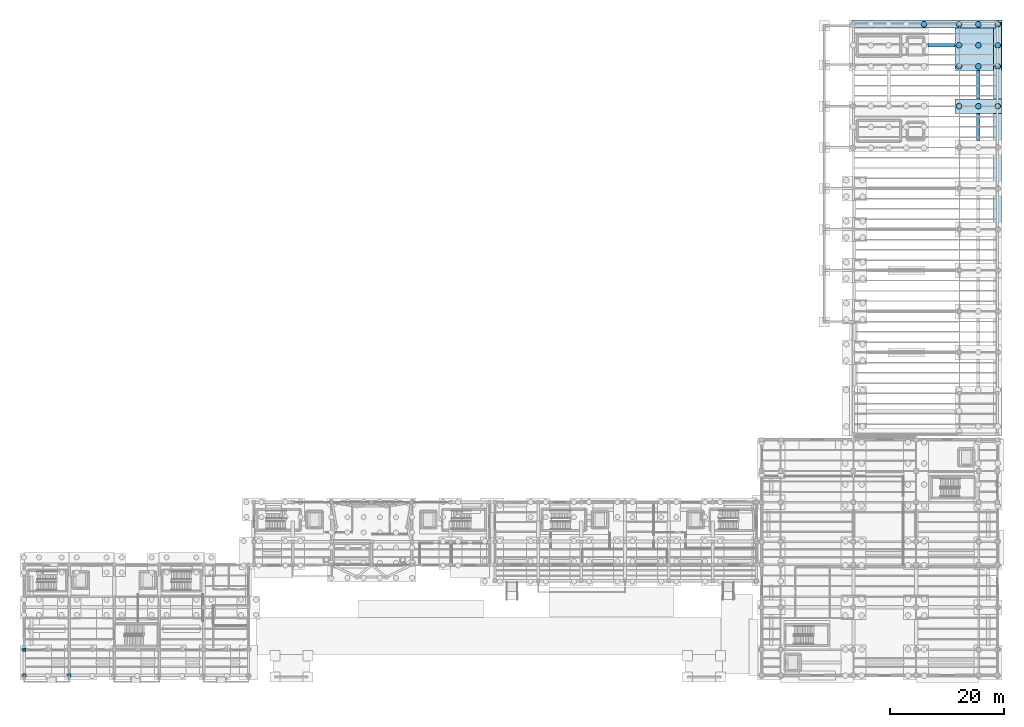
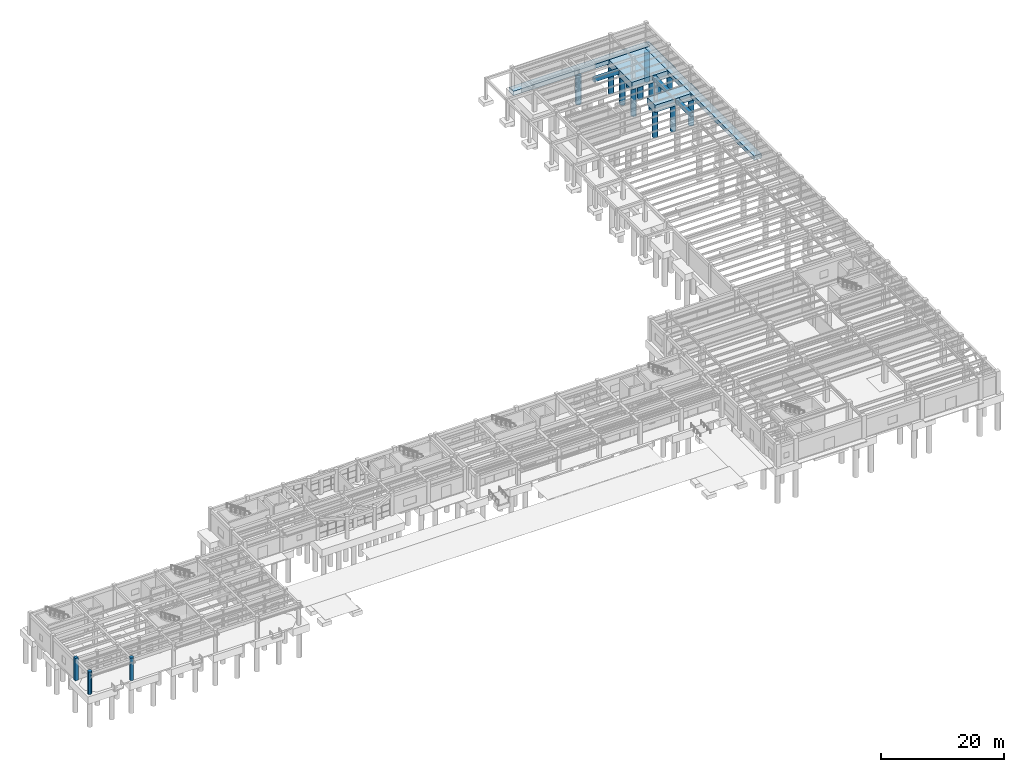
# One storey, part 5 of 41: 13 piles, 7 footings, 3 columns.
"""IFC4 building model written with IfcOpenShell, lengths in metres."""

from ifc_helpers import new_model, si_unit, direction, frame, origin, origin_2d, place, context, subcontext, project, spatial, rectangle, circle, extrude, material, material_profile, profile_set, type_object, element, save


model = new_model("IFC4")

# Units and contexts
model_context = context("Model", 3, precision=1e-05, world=origin(), true_north=direction((0.0, 1.0)))
body_context = subcontext(model_context, "Body", "Model", "MODEL_VIEW")
ifc_project = project(units=[si_unit("LENGTHUNIT", "METRE"), si_unit("AREAUNIT", "SQUARE_METRE"), si_unit("VOLUMEUNIT", "CUBIC_METRE"), si_unit("PLANEANGLEUNIT", "RADIAN"), si_unit("MASSUNIT", "GRAM", prefix="KILO")], contexts=[model_context])

# Site, building, storey
site_placement = place(None, origin())
site = spatial("IfcSite", under=ifc_project, at=site_placement, CompositionType="ELEMENT")
building_placement = place(site_placement, origin())
building = spatial("IfcBuilding", under=site, at=building_placement, Name="Candilejo Ridge Gondola Terminal", CompositionType="ELEMENT")
storey_placement = place(building_placement, origin())
storey = spatial("IfcBuildingStorey", under=building, at=storey_placement, Name="L00", CompositionType="ELEMENT", Elevation=0.0)

# Piles
ifc_material_1 = material(Name="Concrete f'c 28 MPa (C28/35)", Category="concrete")
ifc_material_profile_1 = material_profile(ifc_material_1, circle(Radius=0.5, at=origin_2d()))
ifc_profile_set_1 = profile_set([ifc_material_profile_1], Name="Concrete f'c 28 MPa (C28/35)")
pile_type = type_object("IfcPileType", Name="STR-BORED-PILE-D1000", PredefinedType="BORED", material=ifc_profile_set_1)
for number, where, z_axis, x_axis, name in (
    (1, (162.39990234375, 120.699951171875, -1.35009765625), (0.0, 0.0, -1.0), (1.0, 0.0, 0.0), "Bored pile L00-054"),
    (2, (168.550048828125, 106.300048828125, -1.35009765625), (0.0, 0.0, -1.0), (1.0, 0.0, 0.0), "Bored pile L00-080"),
    (3, (171.949951171875, 106.300048828125, -1.35009765625), (0.0, 0.0, -1.0), (1.0, 0.0, 0.0), "Bored pile L00-081"),
    (4, (175.35009765625, 106.300048828125, -1.35009765625), (0.0, 0.0, -1.0), (1.0, 0.0, 0.0), "Bored pile L00-082"),
    (5, (168.550048828125, 113.300048828125, -1.35009765625), (0.0, 0.0, -1.0), (1.0, 0.0, 0.0), "Bored pile L00-083"),
    (6, (168.550048828125, 117.0, -1.35009765625), (0.0, 0.0, -1.0), (1.0, 0.0, 0.0), "Bored pile L00-084"),
    (7, (168.550048828125, 120.699951171875, -1.35009765625), (0.0, 0.0, -1.0), (1.0, 0.0, 0.0), "Bored pile L00-085"),
    (8, (171.949951171875, 113.300048828125, -1.35009765625), (0.0, 0.0, -1.0), (1.0, 0.0, 0.0), "Bored pile L00-086"),
    (9, (171.949951171875, 117.0, -1.35009765625), (0.0, 0.0, -1.0), (1.0, 0.0, 0.0), "Bored pile L00-087"),
    (10, (171.949951171875, 120.699951171875, -1.35009765625), (0.0, 0.0, -1.0), (1.0, 0.0, 0.0), "Bored pile L00-088"),
    (11, (175.35009765625, 113.300048828125, -1.35009765625), (0.0, 0.0, -1.0), (1.0, 0.0, 0.0), "Bored pile L00-089"),
    (12, (175.35009765625, 117.0, -1.35009765625), (0.0, 0.0, -1.0), (1.0, 0.0, 0.0), "Bored pile L00-090"),
    (13, (175.35009765625, 120.699951171875, -1.35009765625), (0.0, 0.0, -1.0), (1.0, 0.0, 0.0), "Bored pile L00-091"),
):
    element("IfcPile", number, at=place(storey_placement, frame(where, z_axis=z_axis, x_axis=x_axis)), inside=storey, type_object=pile_type, Name=name, PredefinedType="BORED", context=body_context, shape_type="SweptSolid", body=[
        extrude(circle(Radius=0.5, at=origin_2d()), origin(), (0.0, 0.0, 1.0), 5.85009765625),
    ])

# Footings
ifc_material_2 = material(Name="Concrete f'c 35 MPa (C35/45)", Category="concrete")
footing_type_1 = type_object("IfcFootingType", Name="STR-FOOTING-BEAM-600X800", PredefinedType="FOOTING_BEAM", material=ifc_material_2)
footing_1_placement = place(storey_placement, frame((165.47509765625, 117.0, -0.85009765625), z_axis=(0.0, 0.0, 1.0), x_axis=(1.0, 0.0, 0.0)))
element("IfcFooting", 14, at=footing_1_placement, inside=storey, type_object=footing_type_1, Name="Foundation tie beam X L00-007", PredefinedType="FOOTING_BEAM", context=body_context, shape_type="SweptSolid", body=[
    extrude(rectangle(XDim=4.75, YDim=0.60009765625, at=origin_2d()), origin(), (0.0, 0.0, 1.0), 0.800048828125),
])
footing_2_placement = place(storey_placement, frame((171.949951171875, 102.675048828125, -0.85009765625), z_axis=(0.0, 0.0, 1.0), x_axis=(1.0, 0.0, 0.0)))
element("IfcFooting", 15, at=footing_2_placement, inside=storey, type_object=footing_type_1, Name="Foundation tie beam Y L00-020", PredefinedType="FOOTING_BEAM", context=body_context, shape_type="SweptSolid", body=[
    extrude(rectangle(XDim=0.60009765625, YDim=4.75, at=origin_2d()), origin(), (0.0, 0.0, 1.0), 0.800048828125),
])
footing_3_placement = place(storey_placement, frame((171.949951171875, 110.074951171875, -0.85009765625), z_axis=(0.0, 0.0, 1.0), x_axis=(1.0, 0.0, 0.0)))
element("IfcFooting", 16, at=footing_3_placement, inside=storey, type_object=footing_type_1, Name="Foundation tie beam Y L00-021", PredefinedType="FOOTING_BEAM", context=body_context, shape_type="SweptSolid", body=[
    extrude(rectangle(XDim=0.60009765625, YDim=5.050048828125, at=origin_2d()), origin(), (0.0, 0.0, 1.0), 0.800048828125),
])
ifc_material_3 = material(Name="Concrete f'c 35 MPa (C35/45)", Category="concrete")
footing_type_2 = type_object("IfcFootingType", Name="STR-PILE-CAP-B01-830X260X145", PredefinedType="PILE_CAP", material=ifc_material_3)
footing_4_placement = place(storey_placement, frame((171.949951171875, 106.300048828125, -1.4501953125), z_axis=(0.0, 0.0, 1.0), x_axis=(1.0, 0.0, 0.0)))
element("IfcFooting", 17, at=footing_4_placement, inside=storey, type_object=footing_type_2, Name="Pile cap CAP-B01-016", PredefinedType="PILE_CAP", context=body_context, shape_type="SweptSolid", body=[
    extrude(rectangle(XDim=8.300048828125, YDim=2.60009765625, at=origin_2d()), origin(), (0.0, 0.0, 1.0), 1.449951171875),
])
ifc_material_4 = material(Name="Concrete f'c 35 MPa (C35/45)", Category="concrete")
footing_type_3 = type_object("IfcFootingType", Name="STR-PILE-CAP-B01-830X890X145", PredefinedType="PILE_CAP", material=ifc_material_4)
footing_5_placement = place(storey_placement, frame((171.949951171875, 117.0, -1.4501953125), z_axis=(0.0, 0.0, 1.0), x_axis=(1.0, 0.0, 0.0)))
element("IfcFooting", 18, at=footing_5_placement, inside=storey, type_object=footing_type_3, Name="Pile cap CAP-B01-017", PredefinedType="PILE_CAP", context=body_context, shape_type="SweptSolid", body=[
    extrude(rectangle(XDim=8.300048828125, YDim=8.89990234375, at=origin_2d()), origin(), (0.0, 0.0, 1.0), 1.449951171875),
])
ifc_material_5 = material(Name="Concrete f'c 35 MPa (C35/45)", Category="concrete")
footing_type_4 = type_object("IfcFootingType", Name="STR-STRIP-FOOTING-1400X850", PredefinedType="STRIP_FOOTING", material=ifc_material_5)
footing_6_placement = place(storey_placement, frame((162.64990234375, 120.719970703125, -0.85009765625), z_axis=(0.0, 0.0, 1.0), x_axis=(1.0, 0.0, 0.0)))
element("IfcFooting", 19, at=footing_6_placement, inside=storey, type_object=footing_type_4, Name="Retaining plinth strip footing N", PredefinedType="STRIP_FOOTING", context=body_context, shape_type="SweptSolid", body=[
    extrude(rectangle(XDim=25.699951171875, YDim=1.39990234375, at=origin_2d()), origin(), (0.0, 0.0, 1.0), 0.85009765625),
])
footing_7_placement = place(storey_placement, frame((175.300048828125, 102.75, -0.85009765625), z_axis=(0.0, 0.0, 1.0), x_axis=(1.0, 0.0, 0.0)))
element("IfcFooting", 20, at=footing_7_placement, inside=storey, type_object=footing_type_4, Name="Retaining plinth strip footing E1", PredefinedType="STRIP_FOOTING", context=body_context, shape_type="SweptSolid", body=[
    extrude(rectangle(XDim=1.39990234375, YDim=36.60009765625, at=origin_2d()), origin(), (0.0, 0.0, 1.0), 0.85009765625),
])

# Columns
ifc_material_6 = material(Name="Concrete f'c 35 MPa (C35/45)", Category="concrete")
ifc_material_profile_2 = material_profile(ifc_material_6, rectangle(XDim=0.60009765625, YDim=0.60009765625, at=origin_2d()))
ifc_profile_set_2 = profile_set([ifc_material_profile_2], Name="Concrete f'c 35 MPa (C35/45)")
column_type_1 = type_object("IfcColumnType", Name="STR-COL-RC600", PredefinedType="COLUMN", material=ifc_profile_set_2)
column_placement = place(storey_placement, frame((4.300048828125, 10.800048828125, 0.0), z_axis=(0.0, 0.0, 1.0), x_axis=(1.0, 0.0, 0.0)))
element("IfcColumn", 21, at=column_placement, inside=storey, type_object=column_type_1, Name="Column V1 L00 X01-Y02", PredefinedType="COLUMN", context=body_context, shape_type="SweptSolid", body=[
    extrude(rectangle(XDim=0.60009765625, YDim=0.60009765625, at=origin_2d()), origin(), (0.0, 0.0, 1.0), 4.5),
])
ifc_material_7 = material(Name="Concrete f'c 35 MPa (C35/45)", Category="concrete")
ifc_material_profile_3 = material_profile(ifc_material_7, circle(Radius=0.35009765625, at=origin_2d()))
ifc_profile_set_3 = profile_set([ifc_material_profile_3], Name="Concrete f'c 35 MPa (C35/45)")
column_type_2 = type_object("IfcColumnType", Name="STR-COL-RCD700", PredefinedType="COLUMN", material=ifc_profile_set_3)
for number, where, z_axis, x_axis, name in (
    (22, (4.300048828125, 6.300048828125, 0.0), (0.0, 0.0, 1.0), (1.0, 0.0, 0.0), "Column V1 L00 X01-Y01"),
    (23, (12.199951171875, 6.300048828125, 0.0), (0.0, 0.0, 1.0), (1.0, 0.0, 0.0), "Column V1 L00 X02-Y01"),
):
    element("IfcColumn", number, at=place(storey_placement, frame(where, z_axis=z_axis, x_axis=x_axis)), inside=storey, type_object=column_type_2, Name=name, PredefinedType="COLUMN", context=body_context, shape_type="SweptSolid", body=[
        extrude(circle(Radius=0.35009765625, at=origin_2d()), origin(), (0.0, 0.0, 1.0), 4.5),
    ])

save(model, "model.ifc")
